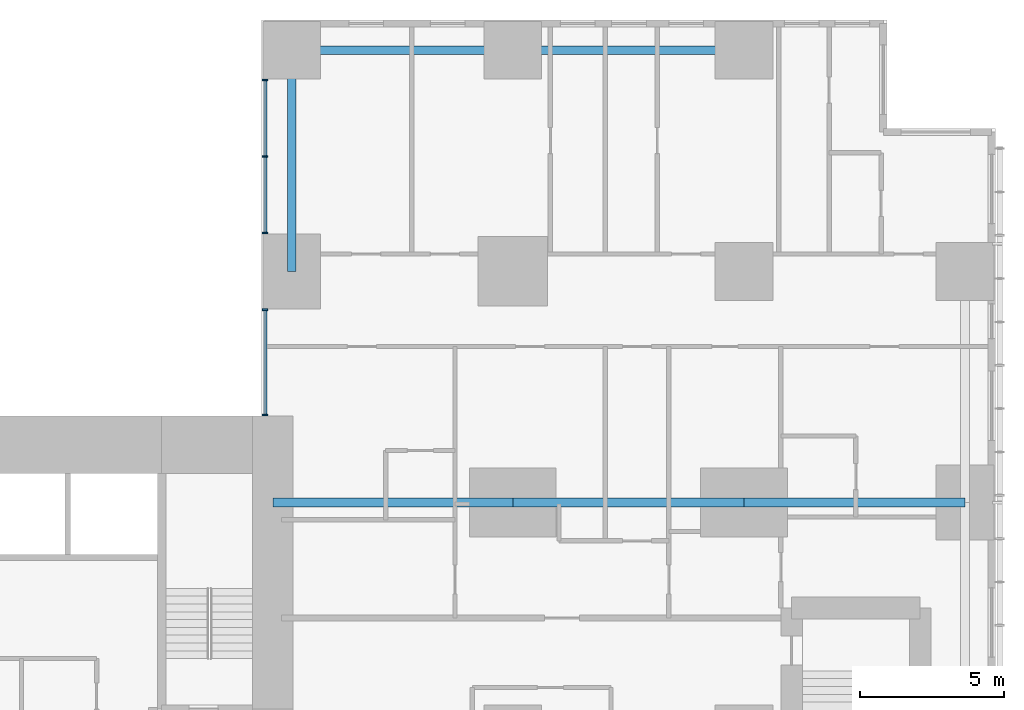
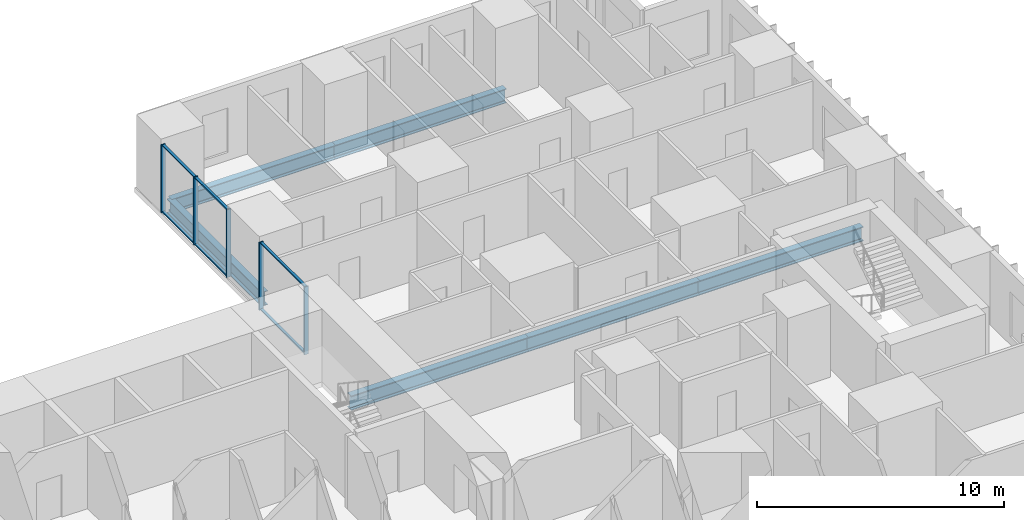
# One storey, part 5 of 20: 11 members, 6 beams, 2 elements without a shape of their own.
"""IFC4 building model written with IfcOpenShell, lengths in metres."""

from ifc_helpers import new_model, si_unit, direction, frame, origin, origin_2d, place, context, subcontext, project, spatial, rectangle, i_section, extrude, material, layer, layer_set, material_profile, profile_set, type_object, element, aggregate, save


model = new_model("IFC4")

# Units and contexts
model_context = context("Model", 3, precision=1e-05, world=origin(), true_north=direction((0.0, 1.0)))
body_context = subcontext(model_context, "Body", "Model", "MODEL_VIEW")
ifc_project = project(units=[si_unit("LENGTHUNIT", "METRE"), si_unit("AREAUNIT", "SQUARE_METRE"), si_unit("VOLUMEUNIT", "CUBIC_METRE"), si_unit("PLANEANGLEUNIT", "RADIAN"), si_unit("MASSUNIT", "GRAM", prefix="KILO")], contexts=[model_context])

# Site, building, storey
site_placement = place(None, origin())
site = spatial("IfcSite", under=ifc_project, at=site_placement, CompositionType="ELEMENT")
building_placement = place(site_placement, origin())
building = spatial("IfcBuilding", under=site, at=building_placement, Name="Cleftline Residences", CompositionType="ELEMENT")
storey_placement = place(building_placement, frame((0.0, 0.0, 164.60009765625)))
storey = spatial("IfcBuildingStorey", under=building, at=storey_placement, Name="L43", CompositionType="ELEMENT", Elevation=164.60009765625)

# Beams
ifc_material_1 = material(Name="Steel S355", Category="steel")
ifc_material_profile_1 = material_profile(ifc_material_1, i_section(OverallWidth=0.300048828125, OverallDepth=0.699951171875, WebThickness=0.01708984375, FlangeThickness=0.031982421875, FilletRadius=0.027099609375, at=origin_2d()))
ifc_profile_set_1 = profile_set([ifc_material_profile_1], Name="Steel S355")
beam_type_1 = type_object("IfcBeamType", Name="BEAM HEB 700", PredefinedType="BEAM", material=ifc_profile_set_1)
beam_1_placement = place(storey_placement, frame((58.0, 47.64990234375, -0.60009765625), z_axis=(-1.0, 0.0, 0.0), x_axis=(0.0, -1.0, 0.0)))
element("IfcBeam", 1, at=beam_1_placement, inside=storey, type_object=beam_type_1, Name="Edge beam", PredefinedType="BEAM", context=body_context, shape_type="SweptSolid", body=[
    extrude(i_section(OverallWidth=0.300048828125, OverallDepth=0.699951171875, WebThickness=0.01708984375, FlangeThickness=0.031982421875, FilletRadius=0.027099609375, at=origin_2d()), origin(), (0.0, 0.0, 1.0), 8.0),
])
for number, where, z_axis, x_axis, name in (
    (2, (50.0, 47.64990234375, -0.60009765625), (-1.0, 0.0, 0.0), (0.0, -1.0, 0.0), "Edge beam"),
    (3, (42.35009765625, 47.64990234375, -0.60009765625), (0.0, -1.0, 0.0), (1.0, 0.0, 0.0), "Edge beam"),
):
    element("IfcBeam", number, at=place(storey_placement, frame(where, z_axis=z_axis, x_axis=x_axis)), inside=storey, type_object=beam_type_1, Name=name, PredefinedType="BEAM", context=body_context, shape_type="SweptSolid", body=[
        extrude(i_section(OverallWidth=0.300048828125, OverallDepth=0.699951171875, WebThickness=0.01708984375, FlangeThickness=0.031982421875, FilletRadius=0.027099609375, at=origin_2d()), origin(), (0.0, 0.0, 1.0), 7.64990234375),
    ])
ifc_material_2 = material(Name="Steel S355", Category="steel")
ifc_material_profile_2 = material_profile(ifc_material_2, i_section(OverallWidth=0.303955078125, OverallDepth=0.716064453125, WebThickness=0.02099609375, FlangeThickness=0.0400390625, FilletRadius=0.027099609375, at=origin_2d()))
ifc_profile_set_2 = profile_set([ifc_material_profile_2], Name="Steel S355")
beam_type_2 = type_object("IfcBeamType", Name="BEAM HEM 700", PredefinedType="BEAM", material=ifc_profile_set_2)
beam_2_placement = place(storey_placement, frame((65.64990234375, 32.0, -0.608154296875), z_axis=(-1.0, 0.0, 0.0), x_axis=(0.0, -1.0, 0.0)))
element("IfcBeam", 4, at=beam_2_placement, inside=storey, type_object=beam_type_2, Name="Band beam", PredefinedType="BEAM", context=body_context, shape_type="SweptSolid", body=[
    extrude(i_section(OverallWidth=0.303955078125, OverallDepth=0.716064453125, WebThickness=0.02099609375, FlangeThickness=0.0400390625, FilletRadius=0.027099609375, at=origin_2d()), origin(), (0.0, 0.0, 1.0), 7.64990234375),
])
beam_3_placement = place(storey_placement, frame((58.0, 32.0, -0.608154296875), z_axis=(-1.0, 0.0, 0.0), x_axis=(0.0, -1.0, 0.0)))
element("IfcBeam", 5, at=beam_3_placement, inside=storey, type_object=beam_type_2, Name="Band beam", PredefinedType="BEAM", context=body_context, shape_type="SweptSolid", body=[
    extrude(i_section(OverallWidth=0.303955078125, OverallDepth=0.716064453125, WebThickness=0.02099609375, FlangeThickness=0.0400390625, FilletRadius=0.027099609375, at=origin_2d()), origin(), (0.0, 0.0, 1.0), 8.0),
])
beam_4_placement = place(storey_placement, frame((50.0, 32.0, -0.608154296875), z_axis=(-1.0, 0.0, 0.0), x_axis=(0.0, -1.0, 0.0)))
element("IfcBeam", 6, at=beam_4_placement, inside=storey, type_object=beam_type_2, Name="Band beam", PredefinedType="BEAM", context=body_context, shape_type="SweptSolid", body=[
    extrude(i_section(OverallWidth=0.303955078125, OverallDepth=0.716064453125, WebThickness=0.02099609375, FlangeThickness=0.0400390625, FilletRadius=0.027099609375, at=origin_2d()), origin(), (0.0, 0.0, 1.0), 8.300048828125),
])

# Curtain wall, members
ifc_material_3 = material(Name="Aluminium framed curtain wall", Category="aluminium")
ifc_layer = layer(ifc_material_3, 0.199951171875)
ifc_layer_set = layer_set([ifc_layer], Name="CW1 CLEFT GLAZING")
curtain_wall_type = type_object("IfcCurtainWallType", Name="CW1 CLEFT GLAZING", PredefinedType="NOTDEFINED", material=ifc_layer_set)
curtain_wall_1_placement = place(storey_placement, origin())
curtain_wall_1 = element("IfcCurtainWall", 7, at=curtain_wall_1_placement, inside=storey, type_object=curtain_wall_type, Name="Curtain wall CW1", PredefinedType="NOTDEFINED")
ifc_material_4 = material(Name="Aluminium mullion", Category="aluminium")
ifc_material_profile_3 = material_profile(ifc_material_4, rectangle(XDim=0.199951171875, YDim=0.06005859375, at=origin_2d()))
ifc_profile_set_3 = profile_set([ifc_material_profile_3], Name="Aluminium mullion")
member_type_1 = type_object("IfcMemberType", Name="CW1 MULLION", PredefinedType="MULLION", material=ifc_profile_set_3)
member_1_placement = place(storey_placement, frame((41.425048828125, 46.6201171875, 0.0), z_axis=(0.0, 0.0, 1.0), x_axis=(1.0, 0.0, 0.0)))
member_1 = element("IfcMember", 8, at=member_1_placement, type_object=member_type_1, Name="CW1 mullion 1", PredefinedType="MULLION", context=body_context, shape_type="SweptSolid", body=[
    extrude(rectangle(XDim=0.199951171875, YDim=0.06005859375, at=origin_2d()), origin(), (0.0, 0.0, 1.0), 3.349853515625),
])
member_2_placement = place(storey_placement, frame((41.425048828125, 43.97509765625, 0.0), z_axis=(0.0, 0.0, 1.0), x_axis=(1.0, 0.0, 0.0)))
member_2 = element("IfcMember", 9, at=member_2_placement, type_object=member_type_1, Name="CW1 mullion 2", PredefinedType="MULLION", context=body_context, shape_type="SweptSolid", body=[
    extrude(rectangle(XDim=0.199951171875, YDim=0.06005859375, at=origin_2d()), origin(), (0.0, 0.0, 1.0), 3.349853515625),
])
member_3_placement = place(storey_placement, frame((41.425048828125, 41.330078125, 0.0), z_axis=(0.0, 0.0, 1.0), x_axis=(1.0, 0.0, 0.0)))
member_3 = element("IfcMember", 10, at=member_3_placement, type_object=member_type_1, Name="CW1 mullion 3", PredefinedType="MULLION", context=body_context, shape_type="SweptSolid", body=[
    extrude(rectangle(XDim=0.199951171875, YDim=0.06005859375, at=origin_2d()), origin(), (0.0, 0.0, 1.0), 3.349853515625),
])

curtain_wall_2_placement = place(storey_placement, origin())
curtain_wall_2 = element("IfcCurtainWall", 11, at=curtain_wall_2_placement, inside=storey, type_object=curtain_wall_type, Name="Curtain wall CW1", PredefinedType="NOTDEFINED")
member_4_placement = place(storey_placement, frame((41.425048828125, 38.669921875, 0.0), z_axis=(0.0, 0.0, 1.0), x_axis=(1.0, 0.0, 0.0)))
member_4 = element("IfcMember", 12, at=member_4_placement, type_object=member_type_1, Name="CW1 mullion 1", PredefinedType="MULLION", context=body_context, shape_type="SweptSolid", body=[
    extrude(rectangle(XDim=0.199951171875, YDim=0.06005859375, at=origin_2d()), origin(), (0.0, 0.0, 1.0), 3.349853515625),
])
member_5_placement = place(storey_placement, frame((41.425048828125, 35.030029296875, 0.0), z_axis=(0.0, 0.0, 1.0), x_axis=(1.0, 0.0, 0.0)))
member_5 = element("IfcMember", 13, at=member_5_placement, type_object=member_type_1, Name="CW1 mullion 2", PredefinedType="MULLION", context=body_context, shape_type="SweptSolid", body=[
    extrude(rectangle(XDim=0.199951171875, YDim=0.06005859375, at=origin_2d()), origin(), (0.0, 0.0, 1.0), 3.349853515625),
])

# Member
ifc_material_5 = material(Name="Aluminium transom", Category="aluminium")
ifc_material_profile_4 = material_profile(ifc_material_5, rectangle(XDim=0.1201171875, YDim=0.06005859375, at=origin_2d()))
ifc_profile_set_4 = profile_set([ifc_material_profile_4], Name="Aluminium transom")
member_type_2 = type_object("IfcMemberType", Name="CW1 TRANSOM", PredefinedType="USERDEFINED", material=ifc_profile_set_4)
member_6_placement = place(storey_placement, frame((41.425048828125, 46.590087890625, 0.02978515625), z_axis=(0.0, -1.0, 0.0), x_axis=(1.0, 0.0, 0.0)))
member_6 = element("IfcMember", 14, at=member_6_placement, type_object=member_type_2, Name="CW1 transom 1.1", ObjectType="TRANSOM", PredefinedType="USERDEFINED", context=body_context, shape_type="SweptSolid", body=[
    extrude(rectangle(XDim=0.1201171875, YDim=0.06005859375, at=origin_2d()), origin(), (0.0, 0.0, 1.0), 2.585205078125),
])

member_7_placement = place(storey_placement, frame((41.425048828125, 46.590087890625, 3.31982421875), z_axis=(0.0, -1.0, 0.0), x_axis=(1.0, 0.0, 0.0)))
member_7 = element("IfcMember", 15, at=member_7_placement, type_object=member_type_2, Name="CW1 transom 1.2", ObjectType="TRANSOM", PredefinedType="USERDEFINED", context=body_context, shape_type="SweptSolid", body=[
    extrude(rectangle(XDim=0.1201171875, YDim=0.06005859375, at=origin_2d()), origin(), (0.0, 0.0, 1.0), 2.585205078125),
])

member_8_placement = place(storey_placement, frame((41.425048828125, 43.945068359375, 0.02978515625), z_axis=(0.0, -1.0, 0.0), x_axis=(1.0, 0.0, 0.0)))
member_8 = element("IfcMember", 16, at=member_8_placement, type_object=member_type_2, Name="CW1 transom 2.1", ObjectType="TRANSOM", PredefinedType="USERDEFINED", context=body_context, shape_type="SweptSolid", body=[
    extrude(rectangle(XDim=0.1201171875, YDim=0.06005859375, at=origin_2d()), origin(), (0.0, 0.0, 1.0), 2.5849609375),
])

member_9_placement = place(storey_placement, frame((41.425048828125, 43.945068359375, 3.31982421875), z_axis=(0.0, -1.0, 0.0), x_axis=(1.0, 0.0, 0.0)))
member_9 = element("IfcMember", 17, at=member_9_placement, type_object=member_type_2, Name="CW1 transom 2.2", ObjectType="TRANSOM", PredefinedType="USERDEFINED", context=body_context, shape_type="SweptSolid", body=[
    extrude(rectangle(XDim=0.1201171875, YDim=0.06005859375, at=origin_2d()), origin(), (0.0, 0.0, 1.0), 2.5849609375),
])

aggregate(curtain_wall_1, [member_1, member_2, member_3, member_6, member_7, member_8, member_9])

member_10_placement = place(storey_placement, frame((41.425048828125, 38.639892578125, 0.02978515625), z_axis=(0.0, -1.0, 0.0), x_axis=(1.0, 0.0, 0.0)))
member_10 = element("IfcMember", 18, at=member_10_placement, type_object=member_type_2, Name="CW1 transom 1.1", ObjectType="TRANSOM", PredefinedType="USERDEFINED", context=body_context, shape_type="SweptSolid", body=[
    extrude(rectangle(XDim=0.1201171875, YDim=0.06005859375, at=origin_2d()), origin(), (0.0, 0.0, 1.0), 3.579833984375),
])

member_11_placement = place(storey_placement, frame((41.425048828125, 38.639892578125, 3.31982421875), z_axis=(0.0, -1.0, 0.0), x_axis=(1.0, 0.0, 0.0)))
member_11 = element("IfcMember", 19, at=member_11_placement, type_object=member_type_2, Name="CW1 transom 1.2", ObjectType="TRANSOM", PredefinedType="USERDEFINED", context=body_context, shape_type="SweptSolid", body=[
    extrude(rectangle(XDim=0.1201171875, YDim=0.06005859375, at=origin_2d()), origin(), (0.0, 0.0, 1.0), 3.579833984375),
])

aggregate(curtain_wall_2, [member_4, member_5, member_10, member_11])

save(model, "model.ifc")
